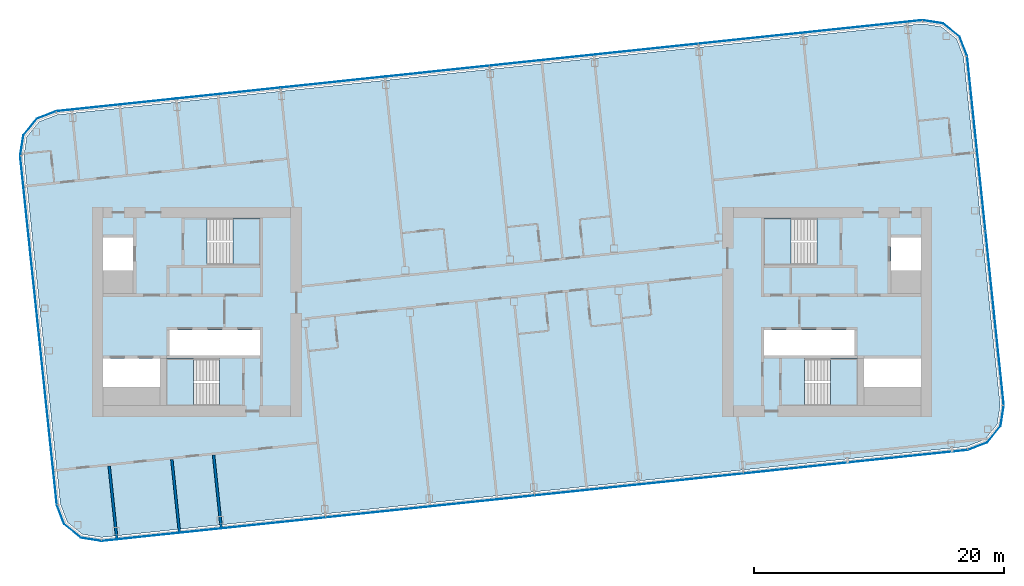
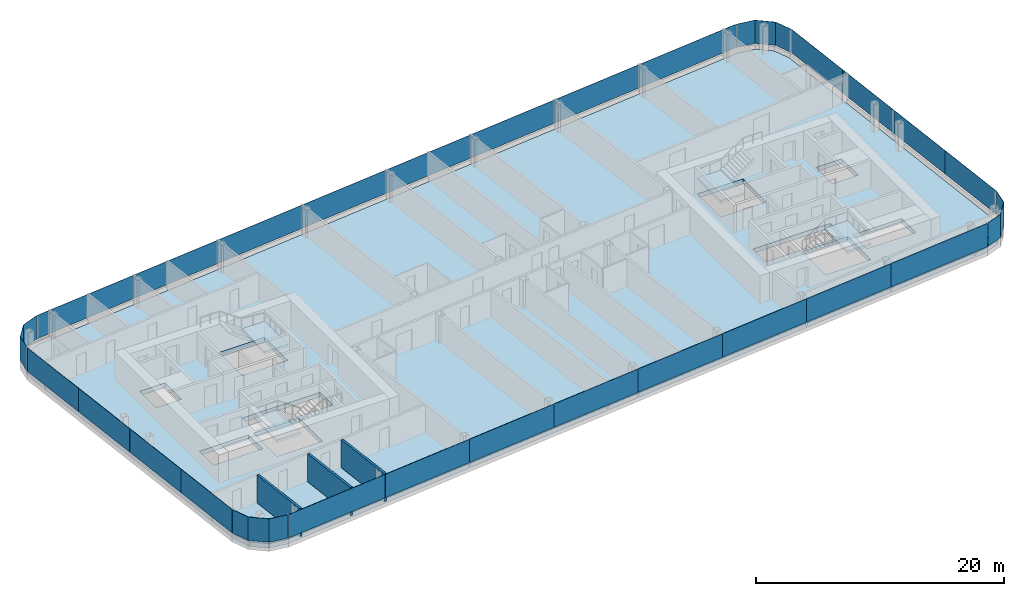
# One storey, part 13 of 27: 28 plates, 5 slabs, 3 walls, 12 elements without a shape of their own.
"""IFC4 building model written with IfcOpenShell, lengths in metres."""

import ifcopenshell
import ifcopenshell.guid

model = None  # the IFC model being written
_history = None  # IfcOwnerHistory: only IFC2X3 demands one
_inside = {}  # id of a spatial element -> (the spatial element, [elements in it])
_under = {}  # id of a project, library or spatial element -> (it, [spatial elements below it])
_declared = {}  # id of a project -> (the project, [libraries it declares])
_typed = {}  # id of a type object -> (the type object, [elements of that type])
_made_of = {}  # id of a material, layer set ... -> (it, [elements and type objects made of it])


def new_model(schema):
    """Start an empty IFC model of exactly this schema.

    Asked for "IFC4X3", IfcOpenShell would pick the latest addendum, in which some entities
    have other attributes; the version numbers below select the first issue.
    IFC2X3 requires an IfcOwnerHistory on every rooted entity: one is made here for all.
    """
    global model, _history
    if schema == "IFC4X3":
        model = ifcopenshell.file(schema_version=(4, 3, 0, 0))
    else:
        model = ifcopenshell.file(schema=schema)
    _inside.clear()
    _under.clear()
    _declared.clear()
    _typed.clear()
    _made_of.clear()
    _history = None
    if model.schema == "IFC2X3":
        org = make("IfcOrganization", Name="unknown")
        user = make(
            "IfcPersonAndOrganization",
            ThePerson=make("IfcPerson", FamilyName="unknown"),
            TheOrganization=org,
        )
        app = make(
            "IfcApplication",
            ApplicationDeveloper=org,
            Version="unknown",
            ApplicationFullName="unknown",
            ApplicationIdentifier="unknown",
        )
        _history = make(
            "IfcOwnerHistory",
            OwningUser=user,
            OwningApplication=app,
            ChangeAction="ADDED",
            CreationDate=0,
        )
    return model


def make(cls, **values):
    """One entity of the class cls with the attributes given. An attribute that is None is left unset."""
    return model.create_entity(
        cls, **{name: value for name, value in values.items() if value is not None}
    )


def rooted(cls, **values):
    """An entity with a GlobalId (a new one), such as an element, a storey or a relation."""
    return make(cls, GlobalId=ifcopenshell.guid.new(), OwnerHistory=_history, **values)


def si_unit(unit_type, name, prefix=None):
    """IfcSIUnit, for example si_unit("LENGTHUNIT", "METRE", prefix="MILLI")."""
    return make("IfcSIUnit", UnitType=unit_type, Prefix=prefix, Name=name)


def assignment(units):
    """IfcUnitAssignment: the units of a project."""
    return None if units is None else make("IfcUnitAssignment", Units=units)


def point(xyz):
    """IfcCartesianPoint."""
    return None if xyz is None else make("IfcCartesianPoint", Coordinates=xyz)


def direction(xyz):
    """IfcDirection."""
    return None if xyz is None else make("IfcDirection", DirectionRatios=xyz)


def frame(location, z_axis=None, x_axis=None):
    """IfcAxis2Placement3D, a coordinate frame: its origin and axes. An axis left out is left unset."""
    return make(
        "IfcAxis2Placement3D",
        Location=point(location),
        Axis=direction(z_axis),
        RefDirection=direction(x_axis),
    )


def frame_2d(location, x_axis=None):
    """IfcAxis2Placement2D, a coordinate frame in the plane: its origin and x axis."""
    return make(
        "IfcAxis2Placement2D", Location=point(location), RefDirection=direction(x_axis)
    )


def origin():
    """The frame at (0, 0, 0) with its axes left unset."""
    return frame((0.0, 0.0, 0.0))


def origin_2d():
    """The frame at (0, 0) in the plane with its x axis left unset."""
    return frame_2d((0.0, 0.0))


def place(relative_to, where):
    """IfcLocalPlacement: puts the frame where relative to a parent placement (None: the world)."""
    return make(
        "IfcLocalPlacement", PlacementRelTo=relative_to, RelativePlacement=where
    )


def context(
    kind, dimensions, precision=None, world=None, true_north=None, identifier=None
):
    """IfcGeometricRepresentationContext, for example the 3D "Model" context."""
    return make(
        "IfcGeometricRepresentationContext",
        ContextIdentifier=identifier,
        ContextType=kind,
        CoordinateSpaceDimension=dimensions,
        Precision=precision,
        WorldCoordinateSystem=world,
        TrueNorth=true_north,
    )


def subcontext(parent, identifier, kind, view, scale=None):
    """IfcGeometricRepresentationSubContext, for example "Body" below "Model"."""
    return make(
        "IfcGeometricRepresentationSubContext",
        ContextIdentifier=identifier,
        ContextType=kind,
        ParentContext=parent,
        TargetScale=scale,
        TargetView=view,
    )


def project(units=None, contexts=None):
    """IfcProject with its units and contexts."""
    return rooted(
        "IfcProject",
        Name="project",
        RepresentationContexts=contexts,
        UnitsInContext=assignment(units),
    )


def spatial(cls, under=None, at=None, **own):
    """A site, building, storey or space (cls), placed at a placement, below another one or the project."""
    s = rooted(cls, ObjectPlacement=at, **own)
    if under is not None:
        _under.setdefault(under.id(), (under, []))[1].append(s)
    return s


def polyline(points):
    """IfcPolyline through the points."""
    return make("IfcPolyline", Points=[point(p) for p in points])


def profile(cls, at=None, kind="AREA", **sizes):
    """A parametric profile (cls). Its sizes go by their IFC names, for example OverallWidth=200.0."""
    return make(cls, ProfileType=kind, Position=at, **sizes)


def rectangle(**sizes):
    """IfcRectangleProfileDef."""
    return profile("IfcRectangleProfileDef", **sizes)


def outline(outer, holes=None, kind="AREA"):
    """IfcArbitraryClosedProfileDef: a profile drawn as a closed curve; with holes, ...WithVoids."""
    if holes is None:
        return make("IfcArbitraryClosedProfileDef", ProfileType=kind, OuterCurve=outer)
    return make(
        "IfcArbitraryProfileDefWithVoids",
        ProfileType=kind,
        OuterCurve=outer,
        InnerCurves=holes,
    )


def extrude(swept, where, along, depth):
    """IfcExtrudedAreaSolid: the profile swept, set in the frame where, extruded along a direction by depth."""
    return make(
        "IfcExtrudedAreaSolid",
        SweptArea=swept,
        Position=where,
        ExtrudedDirection=direction(along),
        Depth=depth,
    )


def shape(context_of_items, identifier, shape_type, items):
    """IfcShapeRepresentation: the items that make up one representation, for example the "Body"."""
    return make(
        "IfcShapeRepresentation",
        ContextOfItems=context_of_items,
        RepresentationIdentifier=identifier,
        RepresentationType=shape_type,
        Items=items,
    )


def material(Name=None, Category=None):
    """IfcMaterial."""
    return make("IfcMaterial", Name=Name, Category=Category)


def layer(
    of_material, thickness, ventilated=None, Name=None, Category=None, Priority=None
):
    """IfcMaterialLayer: one layer of a wall or slab, of a material (None: an air gap)."""
    return make(
        "IfcMaterialLayer",
        Material=of_material,
        LayerThickness=thickness,
        IsVentilated=ventilated,
        Name=Name,
        Category=Category,
        Priority=Priority,
    )


def layer_set(layers, Name=None):
    """IfcMaterialLayerSet."""
    return make("IfcMaterialLayerSet", MaterialLayers=layers, LayerSetName=Name)


def made_of(thing, what):
    """Note that an element or type object is made of a material, layer set ...; save() writes the relation."""
    if what is not None:
        _made_of.setdefault(what.id(), (what, []))[1].append(thing)
    return thing


def type_object(cls, material=None, **own):
    """A type object (cls), such as IfcWallType, which elements share."""
    return made_of(rooted(cls, **own), material)


def element(
    cls,
    number,
    at=None,
    inside=None,
    cuts=None,
    type_object=None,
    material=None,
    context=None,
    identifier="Body",
    shape_type=None,
    held_by="IfcProductDefinitionShape",
    body=None,
    shapes=None,
    **own,
):
    """One element of the class cls, such as IfcWall. Its Tag is "e" and its number.

    at: its placement. inside: the storey or other place that contains it. cuts: it is an
    opening in that element (IfcRelVoidsElement). A single representation is given by context,
    identifier, shape_type and body (its items); several are given by shapes. held_by: the class
    of the entity that holds the representations. save() writes the other relations.
    """
    e = rooted(cls, Tag="e%d" % number, ObjectPlacement=at, **own)
    if body is not None:
        shapes = [shape(context, identifier, shape_type, body)]
    if shapes is not None:
        e.Representation = make(held_by, Representations=shapes)
    if inside is not None:
        _inside.setdefault(inside.id(), (inside, []))[1].append(e)
    if cuts is not None:
        rooted(
            "IfcRelVoidsElement", RelatingBuildingElement=cuts, RelatedOpeningElement=e
        )
    if type_object is not None:
        _typed.setdefault(type_object.id(), (type_object, []))[1].append(e)
    return made_of(e, material)


def aggregate(whole, parts):
    """IfcRelAggregates: a whole, such as a stair, and the parts it consists of."""
    return rooted("IfcRelAggregates", RelatingObject=whole, RelatedObjects=parts)


def save(model, path):
    """Write the relations noted so far, then the file.

    IfcRelAggregates (storeys below a building ...), IfcRelContainedInSpatialStructure (elements
    in a storey), IfcRelDefinesByType, IfcRelAssociatesMaterial and IfcRelDeclares: one each for
    every whole, place, type object, material and project.
    """
    for whole, parts in _under.values():
        aggregate(whole, parts)
    for where, things in _inside.values():
        rooted(
            "IfcRelContainedInSpatialStructure",
            RelatedElements=things,
            RelatingStructure=where,
        )
    for kind, things in _typed.values():
        rooted("IfcRelDefinesByType", RelatedObjects=things, RelatingType=kind)
    for what, things in _made_of.values():
        rooted("IfcRelAssociatesMaterial", RelatedObjects=things, RelatingMaterial=what)
    for by, libraries in _declared.values():
        rooted("IfcRelDeclares", RelatingContext=by, RelatedDefinitions=libraries)
    model.write(path)


model = new_model("IFC4")

# Units and contexts
model_context = context("Model", 3, precision=1e-05, world=origin(), true_north=direction((0.0, 1.0)))
body_context = subcontext(model_context, "Body", "Model", "MODEL_VIEW")
ifc_project = project(units=[si_unit("LENGTHUNIT", "METRE"), si_unit("AREAUNIT", "SQUARE_METRE"), si_unit("VOLUMEUNIT", "CUBIC_METRE"), si_unit("PLANEANGLEUNIT", "RADIAN"), si_unit("MASSUNIT", "GRAM", prefix="KILO")], contexts=[model_context])

# Site, building, storey
site_placement = place(None, origin())
site = spatial("IfcSite", under=ifc_project, at=site_placement, CompositionType="ELEMENT")
building_placement = place(site_placement, origin())
building = spatial("IfcBuilding", under=site, at=building_placement, Name="Hakoniwa Tower and Hamabe Station Hall", CompositionType="ELEMENT")
storey_placement = place(building_placement, frame((0.0, 0.0, 248.60009765625)))
storey = spatial("IfcBuildingStorey", under=building, at=storey_placement, Name="L70", CompositionType="ELEMENT", Elevation=248.60009765625)

# Stair, slab
ifc_material_1 = material(Name="Concrete C40", Category="concrete")
stair_type = type_object("IfcStairType", Name="ESCAPE STAIR 1800", PredefinedType="HALF_TURN_STAIR", material=ifc_material_1)
stair_1_placement = place(storey_placement, origin())
stair_1 = element("IfcStair", 1, at=stair_1_placement, inside=storey, type_object=stair_type, Name="Escape stair ST-1 L70", PredefinedType="HALF_TURN_STAIR")
ifc_material_2 = material(Name="Concrete C40", Category="concrete")
ifc_layer_1 = layer(ifc_material_2, 0.25)
ifc_layer_set_1 = layer_set([ifc_layer_1], Name="CORE STAIR LANDING 250")
slab_type_1 = type_object("IfcSlabType", Name="CORE STAIR LANDING 250", PredefinedType="LANDING", material=ifc_layer_set_1)
slab_1_placement = place(storey_placement, frame((0.0, 0.0, 1.349853515625)))
slab_1 = element("IfcSlab", 2, at=slab_1_placement, type_object=slab_type_1, Name="ST-1 landing 1", PredefinedType="LANDING", context=body_context, shape_type="SweptSolid", body=[
    extrude(outline(polyline([(-22.320068359375, 3.75), (-20.14990234375, 3.75), (-20.14990234375, 7.5), (-22.320068359375, 7.5), (-22.320068359375, 3.75)])), origin(), (0.0, 0.0, 1.0), 0.25),
])
aggregate(stair_1, [slab_1])

stair_2_placement = place(storey_placement, origin())
stair_2 = element("IfcStair", 3, at=stair_2_placement, inside=storey, type_object=stair_type, Name="Escape stair ST-2 L70", PredefinedType="HALF_TURN_STAIR")
slab_2_placement = place(storey_placement, frame((0.0, 0.0, 1.349853515625)))
slab_2 = element("IfcSlab", 4, at=slab_2_placement, type_object=slab_type_1, Name="ST-2 landing 1", PredefinedType="LANDING", context=body_context, shape_type="SweptSolid", body=[
    extrude(outline(polyline([(-25.47998046875, -7.5), (-27.64990234375, -7.5), (-27.64990234375, -3.75), (-25.47998046875, -3.75), (-25.47998046875, -7.5)])), origin(), (0.0, 0.0, 1.0), 0.25),
])
aggregate(stair_2, [slab_2])

stair_3_placement = place(storey_placement, origin())
stair_3 = element("IfcStair", 5, at=stair_3_placement, inside=storey, type_object=stair_type, Name="Escape stair ST-3 L70", PredefinedType="HALF_TURN_STAIR")
slab_3_placement = place(storey_placement, frame((0.0, 0.0, 1.349853515625)))
slab_3 = element("IfcSlab", 6, at=slab_3_placement, type_object=slab_type_1, Name="ST-3 landing 1", PredefinedType="LANDING", context=body_context, shape_type="SweptSolid", body=[
    extrude(outline(polyline([(22.320068359375, 3.75), (20.14990234375, 3.75), (20.14990234375, 7.5), (22.320068359375, 7.5), (22.320068359375, 3.75)])), origin(), (0.0, 0.0, 1.0), 0.25),
])
aggregate(stair_3, [slab_3])

stair_4_placement = place(storey_placement, origin())
stair_4 = element("IfcStair", 7, at=stair_4_placement, inside=storey, type_object=stair_type, Name="Escape stair ST-4 L70", PredefinedType="HALF_TURN_STAIR")
slab_4_placement = place(storey_placement, frame((0.0, 0.0, 1.349853515625)))
slab_4 = element("IfcSlab", 8, at=slab_4_placement, type_object=slab_type_1, Name="ST-4 landing 1", PredefinedType="LANDING", context=body_context, shape_type="SweptSolid", body=[
    extrude(outline(polyline([(25.47998046875, -7.5), (27.64990234375, -7.5), (27.64990234375, -3.75), (25.47998046875, -3.75), (25.47998046875, -7.5)])), origin(), (0.0, 0.0, 1.0), 0.25),
])
aggregate(stair_4, [slab_4])

# Curtain wall, plates
ifc_material_3 = material(Name="Dark low-e laminated glass", Category="glass")
ifc_layer_2 = layer(ifc_material_3, 0.199951171875)
ifc_layer_set_2 = layer_set([ifc_layer_2], Name="CW-1 UNITISED GUEST")
curtain_wall_type = type_object("IfcCurtainWallType", Name="CW-1 UNITISED GUEST", PredefinedType="NOTDEFINED", material=ifc_layer_set_2)
curtain_wall_1_placement = place(storey_placement, origin())
curtain_wall_1 = element("IfcCurtainWall", 9, at=curtain_wall_1_placement, inside=storey, type_object=curtain_wall_type, Name="CW-1 curtain wall", PredefinedType="NOTDEFINED")
ifc_material_4 = material(Name="Dark low-e laminated glass", Category="glass")
ifc_layer_3 = layer(ifc_material_4, 0.028076171875)
ifc_layer_set_3 = layer_set([ifc_layer_3], Name="CW-1 GLASS UNIT")
plate_type = type_object("IfcPlateType", Name="CW-1 GLASS UNIT", PredefinedType="CURTAIN_PANEL", material=ifc_layer_set_3)
plate_1_placement = place(storey_placement, frame((38.97802734375, -3.990966796875, 0.35009765625), z_axis=(0.0, 0.0, 1.0), x_axis=(-0.104528468631, 0.994521894805, 0.0)))
plate_1 = element("IfcPlate", 10, at=plate_1_placement, type_object=plate_type, Name="CW-1 glass unit", PredefinedType="CURTAIN_PANEL", context=body_context, shape_type="SweptSolid", body=[
    extrude(rectangle(XDim=6.999755859375, YDim=0.028076171875, at=origin_2d()), origin(), (0.0, 0.0, 1.0), 2.300048828125),
])
plate_2_placement = place(storey_placement, frame((38.244140625, 2.990478515625, 0.35009765625), z_axis=(0.0, 0.0, 1.0), x_axis=(-0.104528468631, 0.994521894805, 0.0)))
plate_2 = element("IfcPlate", 11, at=plate_2_placement, type_object=plate_type, Name="CW-1 glass unit", PredefinedType="CURTAIN_PANEL", context=body_context, shape_type="SweptSolid", body=[
    extrude(rectangle(XDim=6.999755859375, YDim=0.028076171875, at=origin_2d()), origin(), (0.0, 0.0, 1.0), 2.300048828125),
])
plate_3_placement = place(storey_placement, frame((37.510498046875, 9.9716796875, 0.35009765625), z_axis=(0.0, 0.0, 1.0), x_axis=(-0.104528468631, 0.994521894805, 0.0)))
plate_3 = element("IfcPlate", 12, at=plate_3_placement, type_object=plate_type, Name="CW-1 glass unit", PredefinedType="CURTAIN_PANEL", context=body_context, shape_type="SweptSolid", body=[
    extrude(rectangle(XDim=6.999755859375, YDim=0.028076171875, at=origin_2d()), origin(), (0.0, 0.0, 1.0), 2.300048828125),
])
plate_4_placement = place(storey_placement, frame((36.776611328125, 16.953125, 0.35009765625), z_axis=(0.0, 0.0, 1.0), x_axis=(-0.104528468631, 0.994521894805, 0.0)))
plate_4 = element("IfcPlate", 13, at=plate_4_placement, type_object=plate_type, Name="CW-1 glass unit", PredefinedType="CURTAIN_PANEL", context=body_context, shape_type="SweptSolid", body=[
    extrude(rectangle(XDim=6.999755859375, YDim=0.028076171875, at=origin_2d()), origin(), (0.0, 0.0, 1.0), 2.300048828125),
])
aggregate(curtain_wall_1, [plate_1, plate_2, plate_3, plate_4])

# Curtain wall, plate
curtain_wall_2_placement = place(storey_placement, origin())
curtain_wall_2 = element("IfcCurtainWall", 14, at=curtain_wall_2_placement, inside=storey, type_object=curtain_wall_type, Name="CW-1 curtain wall", PredefinedType="NOTDEFINED")
plate_5_placement = place(storey_placement, frame((0.0, 0.0, 0.349853515625)))
plate_5 = element("IfcPlate", 15, at=plate_5_placement, type_object=plate_type, Name="CW-1 curved corner unit", PredefinedType="CURTAIN_PANEL", context=body_context, shape_type="SweptSolid", body=[
    extrude(outline(polyline([(36.409423828125, 20.482421875), (35.82421875, 22.0068359375), (34.492431640625, 23.085205078125), (32.8798828125, 23.340576171875), (32.87548828125, 23.31298828125), (34.480712890625, 23.058837890625), (35.80078125, 21.98974609375), (36.38330078125, 20.472412109375), (36.409423828125, 20.482421875)])), origin(), (0.0, 0.0, 1.0), 2.300048828125),
])
aggregate(curtain_wall_2, [plate_5])

# Curtain wall, plates
curtain_wall_3_placement = place(storey_placement, origin())
curtain_wall_3 = element("IfcCurtainWall", 16, at=curtain_wall_3_placement, inside=storey, type_object=curtain_wall_type, Name="CW-1 curtain wall", PredefinedType="NOTDEFINED")
plate_6_placement = place(storey_placement, frame((28.04833984375, 22.829345703125, 0.35009765625), z_axis=(0.0, 0.0, 1.0), x_axis=(-0.994521895272, -0.104528464188, 0.0)))
plate_6 = element("IfcPlate", 17, at=plate_6_placement, type_object=plate_type, Name="CW-1 glass unit", PredefinedType="CURTAIN_PANEL", context=body_context, shape_type="SweptSolid", body=[
    extrude(rectangle(XDim=9.619384765625, YDim=0.028076171875, at=origin_2d()), origin(), (0.0, 0.0, 1.0), 2.300048828125),
])
plate_7_placement = place(storey_placement, frame((19.078125, 21.886474609375, 0.35009765625), z_axis=(0.0, 0.0, 1.0), x_axis=(-0.994521895272, -0.104528464188, 0.0)))
plate_7 = element("IfcPlate", 18, at=plate_7_placement, type_object=plate_type, Name="CW-1 glass unit", PredefinedType="CURTAIN_PANEL", context=body_context, shape_type="SweptSolid", body=[
    extrude(rectangle(XDim=8.3798828125, YDim=0.028076171875, at=origin_2d()), origin(), (0.0, 0.0, 1.0), 2.300048828125),
])
plate_8_placement = place(storey_placement, frame((10.72412109375, 21.00830078125, 0.35009765625), z_axis=(0.0, 0.0, 1.0), x_axis=(-0.994521895272, -0.104528464188, 0.0)))
plate_8 = element("IfcPlate", 19, at=plate_8_placement, type_object=plate_type, Name="CW-1 glass unit", PredefinedType="CURTAIN_PANEL", context=body_context, shape_type="SweptSolid", body=[
    extrude(rectangle(XDim=8.3798828125, YDim=0.028076171875, at=origin_2d()), origin(), (0.0, 0.0, 1.0), 2.300048828125),
])
plate_9_placement = place(storey_placement, frame((2.3701171875, 20.13037109375, 0.35009765625), z_axis=(0.0, 0.0, 1.0), x_axis=(-0.994521895272, -0.104528464188, 0.0)))
plate_9 = element("IfcPlate", 20, at=plate_9_placement, type_object=plate_type, Name="CW-1 glass unit", PredefinedType="CURTAIN_PANEL", context=body_context, shape_type="SweptSolid", body=[
    extrude(rectangle(XDim=8.3798828125, YDim=0.028076171875, at=origin_2d()), origin(), (0.0, 0.0, 1.0), 2.300048828125),
])
plate_10_placement = place(storey_placement, frame((-5.98388671875, 19.252197265625, 0.35009765625), z_axis=(0.0, 0.0, 1.0), x_axis=(-0.994521895272, -0.104528464188, 0.0)))
plate_10 = element("IfcPlate", 21, at=plate_10_placement, type_object=plate_type, Name="CW-1 glass unit", PredefinedType="CURTAIN_PANEL", context=body_context, shape_type="SweptSolid", body=[
    extrude(rectangle(XDim=8.3798828125, YDim=0.028076171875, at=origin_2d()), origin(), (0.0, 0.0, 1.0), 2.300048828125),
])
plate_11_placement = place(storey_placement, frame((-14.337890625, 18.374267578125, 0.35009765625), z_axis=(0.0, 0.0, 1.0), x_axis=(-0.994521895272, -0.104528464188, 0.0)))
plate_11 = element("IfcPlate", 22, at=plate_11_placement, type_object=plate_type, Name="CW-1 glass unit", PredefinedType="CURTAIN_PANEL", context=body_context, shape_type="SweptSolid", body=[
    extrude(rectangle(XDim=8.3798828125, YDim=0.028076171875, at=origin_2d()), origin(), (0.0, 0.0, 1.0), 2.300048828125),
])
plate_12_placement = place(storey_placement, frame((-22.69189453125, 17.49609375, 0.35009765625), z_axis=(0.0, 0.0, 1.0), x_axis=(-0.994521895272, -0.104528464188, 0.0)))
plate_12 = element("IfcPlate", 23, at=plate_12_placement, type_object=plate_type, Name="CW-1 glass unit", PredefinedType="CURTAIN_PANEL", context=body_context, shape_type="SweptSolid", body=[
    extrude(rectangle(XDim=8.3798828125, YDim=0.028076171875, at=origin_2d()), origin(), (0.0, 0.0, 1.0), 2.300048828125),
])
plate_13_placement = place(storey_placement, frame((-31.662109375, 16.553466796875, 0.35009765625), z_axis=(0.0, 0.0, 1.0), x_axis=(-0.994521895272, -0.104528464188, 0.0)))
plate_13 = element("IfcPlate", 24, at=plate_13_placement, type_object=plate_type, Name="CW-1 glass unit", PredefinedType="CURTAIN_PANEL", context=body_context, shape_type="SweptSolid", body=[
    extrude(rectangle(XDim=9.619384765625, YDim=0.028076171875, at=origin_2d()), origin(), (0.0, 0.0, 1.0), 2.300048828125),
])
aggregate(curtain_wall_3, [plate_6, plate_7, plate_8, plate_9, plate_10, plate_11, plate_12, plate_13])

# Curtain wall, plate
curtain_wall_4_placement = place(storey_placement, origin())
curtain_wall_4 = element("IfcCurtainWall", 25, at=curtain_wall_4_placement, inside=storey, type_object=curtain_wall_type, Name="CW-1 curtain wall", PredefinedType="NOTDEFINED")
plate_14_placement = place(storey_placement, frame((0.0, 0.0, 0.349853515625)))
plate_14 = element("IfcPlate", 26, at=plate_14_placement, type_object=plate_type, Name="CW-1 curved corner unit", PredefinedType="CURTAIN_PANEL", context=body_context, shape_type="SweptSolid", body=[
    extrude(outline(polyline([(-36.494384765625, 16.049072265625), (-38.0185546875, 15.464111328125), (-39.09716796875, 14.13232421875), (-39.3525390625, 12.51953125), (-39.324951171875, 12.51513671875), (-39.070556640625, 14.120361328125), (-38.001708984375, 15.440673828125), (-36.484375, 16.02294921875), (-36.494384765625, 16.049072265625)])), origin(), (0.0, 0.0, 1.0), 2.300048828125),
])
aggregate(curtain_wall_4, [plate_14])

# Curtain wall, plates
curtain_wall_5_placement = place(storey_placement, origin())
curtain_wall_5 = element("IfcCurtainWall", 27, at=curtain_wall_5_placement, inside=storey, type_object=curtain_wall_type, Name="CW-1 curtain wall", PredefinedType="NOTDEFINED")
plate_15_placement = place(storey_placement, frame((-38.97802734375, 8.990966796875, 0.35009765625), z_axis=(0.0, 0.0, 1.0), x_axis=(0.104528468631, -0.994521894805, 0.0)))
plate_15 = element("IfcPlate", 28, at=plate_15_placement, type_object=plate_type, Name="CW-1 glass unit", PredefinedType="CURTAIN_PANEL", context=body_context, shape_type="SweptSolid", body=[
    extrude(rectangle(XDim=6.999755859375, YDim=0.028076171875, at=origin_2d()), origin(), (0.0, 0.0, 1.0), 2.300048828125),
])
plate_16_placement = place(storey_placement, frame((-38.244140625, 2.009521484375, 0.35009765625), z_axis=(0.0, 0.0, 1.0), x_axis=(0.104528468631, -0.994521894805, 0.0)))
plate_16 = element("IfcPlate", 29, at=plate_16_placement, type_object=plate_type, Name="CW-1 glass unit", PredefinedType="CURTAIN_PANEL", context=body_context, shape_type="SweptSolid", body=[
    extrude(rectangle(XDim=6.999755859375, YDim=0.028076171875, at=origin_2d()), origin(), (0.0, 0.0, 1.0), 2.300048828125),
])
plate_17_placement = place(storey_placement, frame((-37.510498046875, -4.9716796875, 0.35009765625), z_axis=(0.0, 0.0, 1.0), x_axis=(0.104528468631, -0.994521894805, 0.0)))
plate_17 = element("IfcPlate", 30, at=plate_17_placement, type_object=plate_type, Name="CW-1 glass unit", PredefinedType="CURTAIN_PANEL", context=body_context, shape_type="SweptSolid", body=[
    extrude(rectangle(XDim=6.999755859375, YDim=0.028076171875, at=origin_2d()), origin(), (0.0, 0.0, 1.0), 2.300048828125),
])
plate_18_placement = place(storey_placement, frame((-36.776611328125, -11.953125, 0.35009765625), z_axis=(0.0, 0.0, 1.0), x_axis=(0.104528468631, -0.994521894805, 0.0)))
plate_18 = element("IfcPlate", 31, at=plate_18_placement, type_object=plate_type, Name="CW-1 glass unit", PredefinedType="CURTAIN_PANEL", context=body_context, shape_type="SweptSolid", body=[
    extrude(rectangle(XDim=6.999755859375, YDim=0.028076171875, at=origin_2d()), origin(), (0.0, 0.0, 1.0), 2.300048828125),
])
aggregate(curtain_wall_5, [plate_15, plate_16, plate_17, plate_18])

# Curtain wall, plate
curtain_wall_6_placement = place(storey_placement, origin())
curtain_wall_6 = element("IfcCurtainWall", 32, at=curtain_wall_6_placement, inside=storey, type_object=curtain_wall_type, Name="CW-1 curtain wall", PredefinedType="NOTDEFINED")
plate_19_placement = place(storey_placement, frame((0.0, 0.0, 0.349853515625)))
plate_19 = element("IfcPlate", 33, at=plate_19_placement, type_object=plate_type, Name="CW-1 curved corner unit", PredefinedType="CURTAIN_PANEL", context=body_context, shape_type="SweptSolid", body=[
    extrude(outline(polyline([(-36.409423828125, -15.482421875), (-35.82421875, -17.0068359375), (-34.492431640625, -18.085205078125), (-32.8798828125, -18.340576171875), (-32.87548828125, -18.31298828125), (-34.480712890625, -18.058837890625), (-35.80078125, -16.98974609375), (-36.38330078125, -15.472412109375), (-36.409423828125, -15.482421875)])), origin(), (0.0, 0.0, 1.0), 2.300048828125),
])
aggregate(curtain_wall_6, [plate_19])

# Curtain wall, plates
curtain_wall_7_placement = place(storey_placement, origin())
curtain_wall_7 = element("IfcCurtainWall", 34, at=curtain_wall_7_placement, inside=storey, type_object=curtain_wall_type, Name="CW-1 curtain wall", PredefinedType="NOTDEFINED")
plate_20_placement = place(storey_placement, frame((-28.04833984375, -17.829345703125, 0.35009765625), z_axis=(0.0, 0.0, 1.0), x_axis=(0.994521895272, 0.104528464188, 0.0)))
plate_20 = element("IfcPlate", 35, at=plate_20_placement, type_object=plate_type, Name="CW-1 glass unit", PredefinedType="CURTAIN_PANEL", context=body_context, shape_type="SweptSolid", body=[
    extrude(rectangle(XDim=9.619384765625, YDim=0.028076171875, at=origin_2d()), origin(), (0.0, 0.0, 1.0), 2.300048828125),
])
plate_21_placement = place(storey_placement, frame((-19.078125, -16.886474609375, 0.35009765625), z_axis=(0.0, 0.0, 1.0), x_axis=(0.994521895272, 0.104528464188, 0.0)))
plate_21 = element("IfcPlate", 36, at=plate_21_placement, type_object=plate_type, Name="CW-1 glass unit", PredefinedType="CURTAIN_PANEL", context=body_context, shape_type="SweptSolid", body=[
    extrude(rectangle(XDim=8.3798828125, YDim=0.028076171875, at=origin_2d()), origin(), (0.0, 0.0, 1.0), 2.300048828125),
])
plate_22_placement = place(storey_placement, frame((-10.72412109375, -16.00830078125, 0.35009765625), z_axis=(0.0, 0.0, 1.0), x_axis=(0.994521895272, 0.104528464188, 0.0)))
plate_22 = element("IfcPlate", 37, at=plate_22_placement, type_object=plate_type, Name="CW-1 glass unit", PredefinedType="CURTAIN_PANEL", context=body_context, shape_type="SweptSolid", body=[
    extrude(rectangle(XDim=8.3798828125, YDim=0.028076171875, at=origin_2d()), origin(), (0.0, 0.0, 1.0), 2.300048828125),
])
plate_23_placement = place(storey_placement, frame((-2.3701171875, -15.13037109375, 0.35009765625), z_axis=(0.0, 0.0, 1.0), x_axis=(0.994521895272, 0.104528464188, 0.0)))
plate_23 = element("IfcPlate", 38, at=plate_23_placement, type_object=plate_type, Name="CW-1 glass unit", PredefinedType="CURTAIN_PANEL", context=body_context, shape_type="SweptSolid", body=[
    extrude(rectangle(XDim=8.3798828125, YDim=0.028076171875, at=origin_2d()), origin(), (0.0, 0.0, 1.0), 2.300048828125),
])
plate_24_placement = place(storey_placement, frame((5.98388671875, -14.252197265625, 0.35009765625), z_axis=(0.0, 0.0, 1.0), x_axis=(0.994521895272, 0.104528464188, 0.0)))
plate_24 = element("IfcPlate", 39, at=plate_24_placement, type_object=plate_type, Name="CW-1 glass unit", PredefinedType="CURTAIN_PANEL", context=body_context, shape_type="SweptSolid", body=[
    extrude(rectangle(XDim=8.3798828125, YDim=0.028076171875, at=origin_2d()), origin(), (0.0, 0.0, 1.0), 2.300048828125),
])
plate_25_placement = place(storey_placement, frame((14.337890625, -13.374267578125, 0.35009765625), z_axis=(0.0, 0.0, 1.0), x_axis=(0.994521895272, 0.104528464188, 0.0)))
plate_25 = element("IfcPlate", 40, at=plate_25_placement, type_object=plate_type, Name="CW-1 glass unit", PredefinedType="CURTAIN_PANEL", context=body_context, shape_type="SweptSolid", body=[
    extrude(rectangle(XDim=8.3798828125, YDim=0.028076171875, at=origin_2d()), origin(), (0.0, 0.0, 1.0), 2.300048828125),
])
plate_26_placement = place(storey_placement, frame((22.69189453125, -12.49609375, 0.35009765625), z_axis=(0.0, 0.0, 1.0), x_axis=(0.994521895272, 0.104528464188, 0.0)))
plate_26 = element("IfcPlate", 41, at=plate_26_placement, type_object=plate_type, Name="CW-1 glass unit", PredefinedType="CURTAIN_PANEL", context=body_context, shape_type="SweptSolid", body=[
    extrude(rectangle(XDim=8.3798828125, YDim=0.028076171875, at=origin_2d()), origin(), (0.0, 0.0, 1.0), 2.300048828125),
])
plate_27_placement = place(storey_placement, frame((31.662109375, -11.553466796875, 0.35009765625), z_axis=(0.0, 0.0, 1.0), x_axis=(0.994521895272, 0.104528464188, 0.0)))
plate_27 = element("IfcPlate", 42, at=plate_27_placement, type_object=plate_type, Name="CW-1 glass unit", PredefinedType="CURTAIN_PANEL", context=body_context, shape_type="SweptSolid", body=[
    extrude(rectangle(XDim=9.619384765625, YDim=0.028076171875, at=origin_2d()), origin(), (0.0, 0.0, 1.0), 2.300048828125),
])
aggregate(curtain_wall_7, [plate_20, plate_21, plate_22, plate_23, plate_24, plate_25, plate_26, plate_27])

# Curtain wall, plate
curtain_wall_8_placement = place(storey_placement, origin())
curtain_wall_8 = element("IfcCurtainWall", 43, at=curtain_wall_8_placement, inside=storey, type_object=curtain_wall_type, Name="CW-1 curtain wall", PredefinedType="NOTDEFINED")
plate_28_placement = place(storey_placement, frame((0.0, 0.0, 0.349853515625)))
plate_28 = element("IfcPlate", 44, at=plate_28_placement, type_object=plate_type, Name="CW-1 curved corner unit", PredefinedType="CURTAIN_PANEL", context=body_context, shape_type="SweptSolid", body=[
    extrude(outline(polyline([(36.494384765625, -11.049072265625), (38.0185546875, -10.464111328125), (39.09716796875, -9.13232421875), (39.3525390625, -7.51953125), (39.324951171875, -7.51513671875), (39.070556640625, -9.120361328125), (38.001708984375, -10.440673828125), (36.484375, -11.02294921875), (36.494384765625, -11.049072265625)])), origin(), (0.0, 0.0, 1.0), 2.300048828125),
])
aggregate(curtain_wall_8, [plate_28])

# Slab
ifc_material_5 = material(Name="Concrete C42", Category="concrete")
ifc_layer_4 = layer(ifc_material_5, 0.449951171875)
ifc_layer_set_4 = layer_set([ifc_layer_4], Name="PT FLAT PLATE 450")
slab_type_2 = type_object("IfcSlabType", Name="PT FLAT PLATE 450", PredefinedType="FLOOR", material=ifc_layer_set_4)
slab_5_placement = place(storey_placement, frame((0.0, 0.0, -0.4501953125)))
element("IfcSlab", 45, at=slab_5_placement, inside=storey, type_object=slab_type_2, Name="Floor slab L70", PredefinedType="FLOOR", context=body_context, shape_type="SweptSolid", body=[
    extrude(outline(polyline([(39.056396484375, -7.47216796875), (36.12939453125, 20.37451171875), (35.572998046875, 21.82421875), (34.3662109375, 22.801513671875), (32.83251953125, 23.04443359375), (-36.38623046875, 15.769287109375), (-37.836181640625, 15.212890625), (-38.8134765625, 14.005859375), (-39.056396484375, 12.47216796875), (-36.12939453125, -15.37451171875), (-35.572998046875, -16.82421875), (-34.3662109375, -17.801513671875), (-32.83251953125, -18.04443359375), (36.38623046875, -10.769287109375), (37.836181640625, -10.212890625), (38.8134765625, -9.005859375), (39.056396484375, -7.47216796875)]), holes=[polyline([(-27.39990234375, -3.5), (-27.39990234375, -1.449951171875), (-20.14990234375, -1.449951171875), (-20.14990234375, -3.5), (-27.39990234375, -3.5)]), polyline([(-32.699951171875, 3.300048828125), (-32.699951171875, 5.949951171875), (-30.300048828125, 5.949951171875), (-30.300048828125, 3.300048828125), (-32.699951171875, 3.300048828125)]), polyline([(-32.699951171875, -6.0), (-32.699951171875, -3.75), (-28.14990234375, -3.75), (-28.14990234375, -6.0), (-32.699951171875, -6.0)]), polyline([(-24.389892578125, 3.75), (-24.389892578125, 7.5), (-20.14990234375, 7.5), (-20.14990234375, 3.75), (-24.389892578125, 3.75)]), polyline([(-27.64990234375, -7.5), (-27.64990234375, -3.75), (-23.409912109375, -3.75), (-23.409912109375, -7.5), (-27.64990234375, -7.5)]), polyline([(20.14990234375, -3.5), (20.14990234375, -1.449951171875), (27.39990234375, -1.449951171875), (27.39990234375, -3.5), (20.14990234375, -3.5)]), polyline([(30.300048828125, 3.300048828125), (30.300048828125, 5.949951171875), (32.699951171875, 5.949951171875), (32.699951171875, 3.300048828125), (30.300048828125, 3.300048828125)]), polyline([(28.14990234375, -6.0), (28.14990234375, -3.75), (32.699951171875, -3.75), (32.699951171875, -6.0), (28.14990234375, -6.0)]), polyline([(20.14990234375, 3.75), (20.14990234375, 7.5), (24.389892578125, 7.5), (24.389892578125, 3.75), (20.14990234375, 3.75)]), polyline([(23.409912109375, -7.5), (23.409912109375, -3.75), (27.64990234375, -3.75), (27.64990234375, -7.5), (23.409912109375, -7.5)])]), origin(), (0.0, 0.0, 1.0), 0.4501953125),
])

# Walls
ifc_material_6 = material(Name="Fire-rated gypsum board partition", Category="gypsum")
ifc_layer_5 = layer(ifc_material_6, 0.199951171875)
ifc_layer_set_5 = layer_set([ifc_layer_5], Name="Party Wall 200")
wall_type = type_object("IfcWallType", Name="Party Wall 200", PredefinedType="PARTITIONING", material=ifc_layer_set_5)
wall_1_placement = place(storey_placement, frame((-31.607666015625, -18.21728515625, 0.0), z_axis=(0.0, 0.0, 1.0), x_axis=(-0.10453655107, 0.994521045273, 0.0)))
element("IfcWall", 46, at=wall_1_placement, inside=storey, type_object=wall_type, Name="GW-L70-017", PredefinedType="PARTITIONING", context=body_context, shape_type="SweptSolid", body=[
    extrude(rectangle(XDim=5.915771484375, YDim=0.199951171875, at=frame_2d((2.9580078125, 0.0))), origin(), (0.0, 0.0, 1.0), 2.75),
])
wall_2_placement = place(storey_placement, frame((-26.59521484375, -17.690673828125, 0.0), z_axis=(0.0, 0.0, 1.0), x_axis=(-0.104532260673, 0.994521496238, 0.0)))
element("IfcWall", 47, at=wall_2_placement, inside=storey, type_object=wall_type, Name="GW-L70-020", PredefinedType="PARTITIONING", context=body_context, shape_type="SweptSolid", body=[
    extrude(rectangle(XDim=5.916015625, YDim=0.199951171875, at=frame_2d((2.9580078125, 0.0))), origin(), (0.0, 0.0, 1.0), 2.75),
])
wall_3_placement = place(storey_placement, frame((-23.253662109375, -17.33935546875, 0.0), z_axis=(0.0, 0.0, 1.0), x_axis=(-0.10453655107, 0.994521045273, 0.0)))
element("IfcWall", 48, at=wall_3_placement, inside=storey, type_object=wall_type, Name="GW-L70-021", PredefinedType="PARTITIONING", context=body_context, shape_type="SweptSolid", body=[
    extrude(rectangle(XDim=5.915771484375, YDim=0.199951171875, at=frame_2d((2.9580078125, 0.0))), origin(), (0.0, 0.0, 1.0), 2.75),
])

save(model, "model.ifc")
